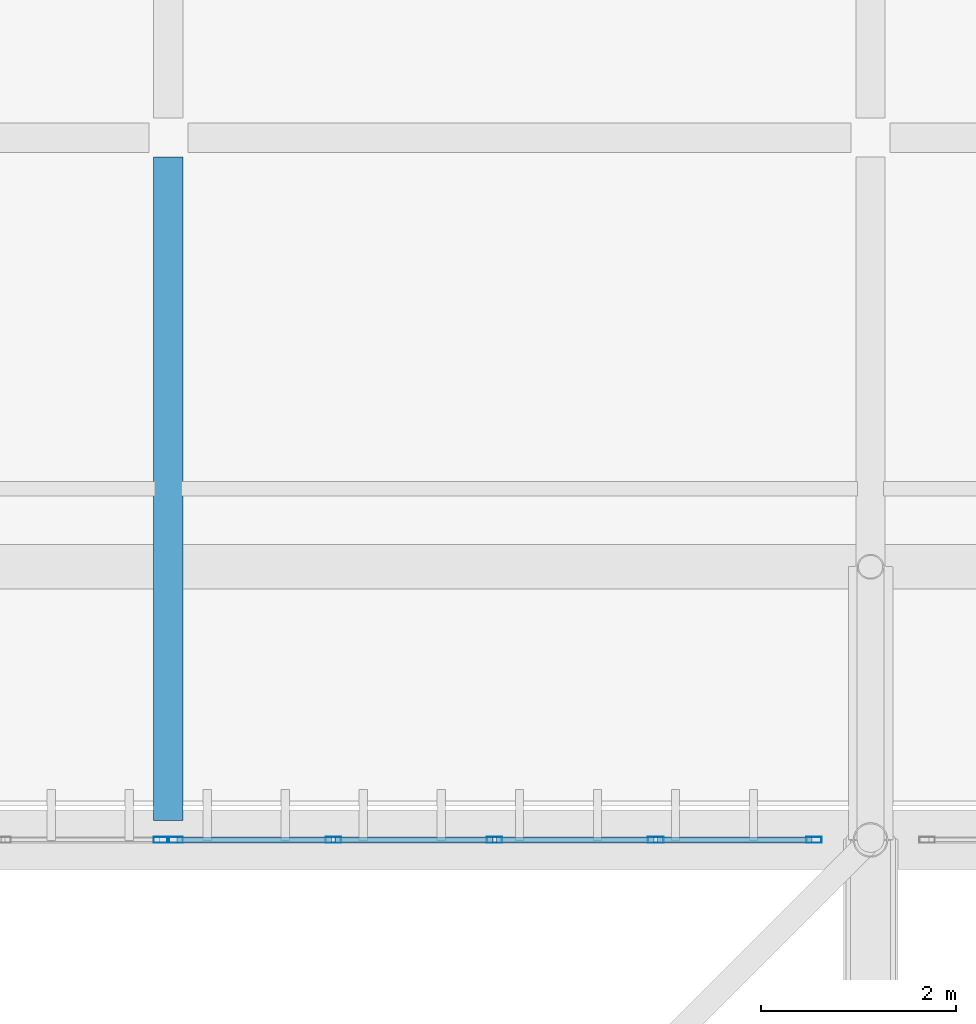
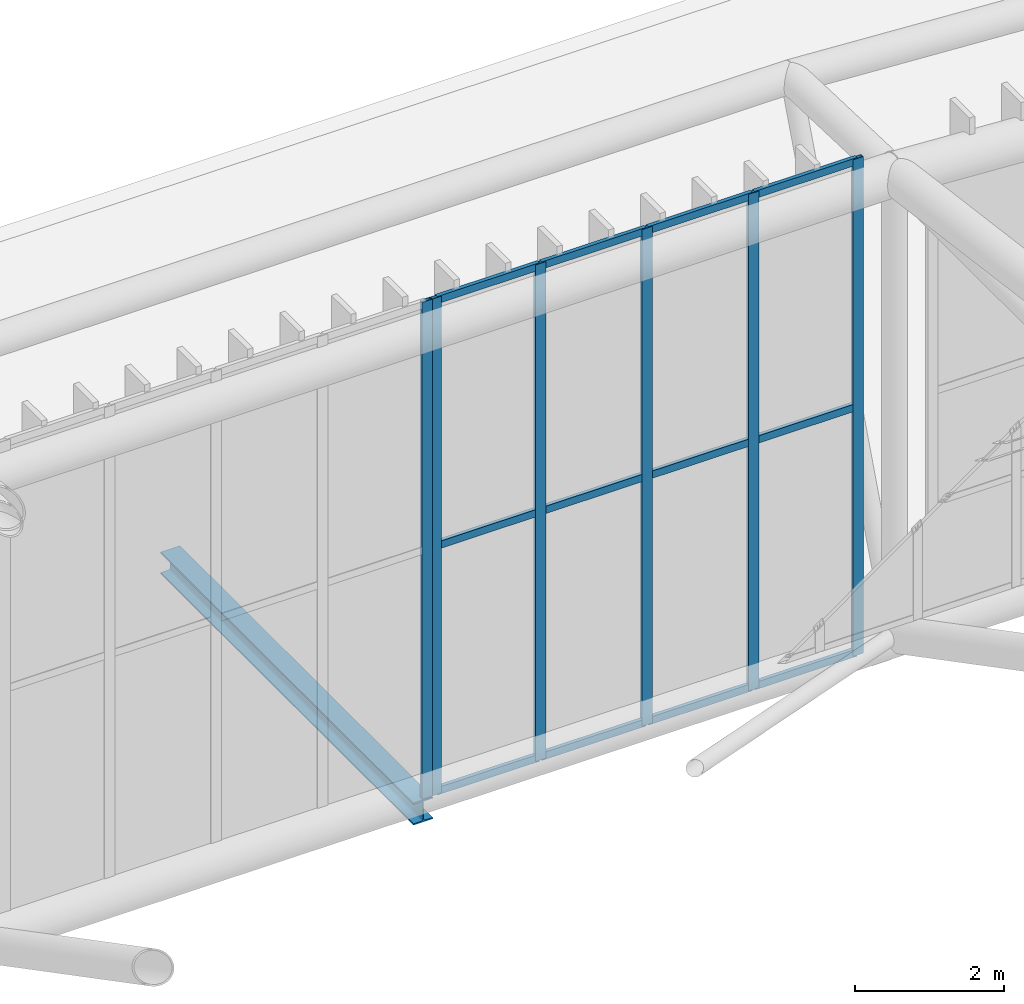
# One storey, part 323 of 397: 18 members, 1 beam, 2 elements without a shape of their own.
"""IFC4 building model written with IfcOpenShell, lengths in metres."""

from ifc_helpers import new_model, si_unit, direction, frame, origin, origin_2d, place, context, subcontext, project, spatial, hollow_rectangle, i_section, extrude, material, material_profile, profile_set, type_object, element, aggregate, save


model = new_model("IFC4")

# Units and contexts
model_context = context("Model", 3, precision=1e-05, world=origin(), true_north=direction((0.0, 1.0)))
body_context = subcontext(model_context, "Body", "Model", "MODEL_VIEW")
ifc_project = project(units=[si_unit("LENGTHUNIT", "METRE"), si_unit("AREAUNIT", "SQUARE_METRE"), si_unit("VOLUMEUNIT", "CUBIC_METRE"), si_unit("PLANEANGLEUNIT", "RADIAN"), si_unit("MASSUNIT", "GRAM", prefix="KILO")], contexts=[model_context])

# Site, building, storey
site_placement = place(None, origin())
site = spatial("IfcSite", under=ifc_project, at=site_placement, CompositionType="ELEMENT")
building_placement = place(site_placement, origin())
building = spatial("IfcBuilding", under=site, at=building_placement, Name="Qandorah Velis Arena", CompositionType="ELEMENT")
storey_placement = place(building_placement, frame((0.0, 0.0, 27.5)))
storey = spatial("IfcBuildingStorey", under=building, at=storey_placement, Name="RF", CompositionType="ELEMENT", Elevation=27.5)

# Curtain wall, member
ifc_material_1 = material(Name="Solar-control low-E double glazing", Category="glass")
curtain_wall_type_1 = type_object("IfcCurtainWallType", Name="ARC-CW-SYS04", PredefinedType="USERDEFINED", material=ifc_material_1)
curtain_wall_1_placement = place(storey_placement, origin())
curtain_wall_1 = element("IfcCurtainWall", 1, at=curtain_wall_1_placement, inside=storey, type_object=curtain_wall_type_1, Name="Unitised curtain wall CROWN-4-04S1", ObjectType="UNITISED CURTAIN WALL", PredefinedType="USERDEFINED")
ifc_material_2 = material(Name="Champagne-bronze anodized aluminium 6063-T6", Category="aluminium")
ifc_material_profile_1 = material_profile(ifc_material_2, hollow_rectangle(XDim=0.06005859375, YDim=0.159912109375, WallThickness=0.00341796875, at=origin_2d()), Name="ALU MULLION 60x160")
ifc_profile_set_1 = profile_set([ifc_material_profile_1], Name="Champagne-bronze anodized aluminium 6063-T6")
member_type_1 = type_object("IfcMemberType", Name="ARC-CWM-160", PredefinedType="MULLION", material=ifc_profile_set_1)
member_1_placement = place(storey_placement, frame((64.72998046875, 115.199951171875, -0.014892578125), z_axis=(0.0, 0.0, 1.0), x_axis=(0.0, 1.0, 0.0)))
member_1 = element("IfcMember", 2, at=member_1_placement, type_object=member_type_1, Name="CW04 mullion 5", PredefinedType="MULLION", context=body_context, shape_type="SweptSolid", body=[
    extrude(hollow_rectangle(XDim=0.06005859375, YDim=0.159912109375, WallThickness=0.00341796875, at=origin_2d()), origin(), (0.0, 0.0, 1.0), 8.150634765625),
])
aggregate(curtain_wall_1, [member_1])

# Curtain wall, members
curtain_wall_type_2 = type_object("IfcCurtainWallType", Name="ARC-CW-SYS05", PredefinedType="USERDEFINED", material=ifc_material_1)
curtain_wall_2_placement = place(storey_placement, origin())
curtain_wall_2 = element("IfcCurtainWall", 3, at=curtain_wall_2_placement, inside=storey, type_object=curtain_wall_type_2, Name="Unitised curtain wall CROWN-4-04S2", ObjectType="UNITISED CURTAIN WALL", PredefinedType="USERDEFINED")
member_2_placement = place(storey_placement, frame((64.8701171875, 115.199951171875, -0.014892578125), z_axis=(0.0, 0.0, 1.0), x_axis=(0.0, 1.0, 0.0)))
member_2 = element("IfcMember", 4, at=member_2_placement, type_object=member_type_1, Name="CW05 mullion 1", PredefinedType="MULLION", context=body_context, shape_type="SweptSolid", body=[
    extrude(hollow_rectangle(XDim=0.06005859375, YDim=0.159912109375, WallThickness=0.00341796875, at=origin_2d()), origin(), (0.0, 0.0, 1.0), 8.150634765625),
])
member_3_placement = place(storey_placement, frame((66.492431640625, 115.199951171875, -0.014892578125), z_axis=(0.0, 0.0, 1.0), x_axis=(0.0, 1.0, 0.0)))
member_3 = element("IfcMember", 5, at=member_3_placement, type_object=member_type_1, Name="CW05 mullion 2", PredefinedType="MULLION", context=body_context, shape_type="SweptSolid", body=[
    extrude(hollow_rectangle(XDim=0.06005859375, YDim=0.159912109375, WallThickness=0.00341796875, at=origin_2d()), origin(), (0.0, 0.0, 1.0), 8.150634765625),
])
member_4_placement = place(storey_placement, frame((68.14501953125, 115.199951171875, -0.014892578125), z_axis=(0.0, 0.0, 1.0), x_axis=(0.0, 1.0, 0.0)))
member_4 = element("IfcMember", 6, at=member_4_placement, type_object=member_type_1, Name="CW05 mullion 3", PredefinedType="MULLION", context=body_context, shape_type="SweptSolid", body=[
    extrude(hollow_rectangle(XDim=0.06005859375, YDim=0.159912109375, WallThickness=0.00341796875, at=origin_2d()), origin(), (0.0, 0.0, 1.0), 8.150634765625),
])
member_5_placement = place(storey_placement, frame((69.797607421875, 115.199951171875, -0.014892578125), z_axis=(0.0, 0.0, 1.0), x_axis=(0.0, 1.0, 0.0)))
member_5 = element("IfcMember", 7, at=member_5_placement, type_object=member_type_1, Name="CW05 mullion 4", PredefinedType="MULLION", context=body_context, shape_type="SweptSolid", body=[
    extrude(hollow_rectangle(XDim=0.06005859375, YDim=0.159912109375, WallThickness=0.00341796875, at=origin_2d()), origin(), (0.0, 0.0, 1.0), 8.150634765625),
])
member_6_placement = place(storey_placement, frame((71.419921875, 115.199951171875, -0.014892578125), z_axis=(0.0, 0.0, 1.0), x_axis=(0.0, 1.0, 0.0)))
member_6 = element("IfcMember", 8, at=member_6_placement, type_object=member_type_1, Name="CW05 mullion 5", PredefinedType="MULLION", context=body_context, shape_type="SweptSolid", body=[
    extrude(hollow_rectangle(XDim=0.06005859375, YDim=0.159912109375, WallThickness=0.00341796875, at=origin_2d()), origin(), (0.0, 0.0, 1.0), 8.150634765625),
])
ifc_material_profile_2 = material_profile(ifc_material_2, hollow_rectangle(XDim=0.06005859375, YDim=0.1201171875, WallThickness=0.0029296875, at=origin_2d()), Name="ALU TRANSOM 60x120")
ifc_profile_set_2 = profile_set([ifc_material_profile_2], Name="Champagne-bronze anodized aluminium 6063-T6")
member_type_2 = type_object("IfcMemberType", Name="ARC-CWT-120", PredefinedType="USERDEFINED", material=ifc_profile_set_2)
member_7_placement = place(storey_placement, frame((64.887939453125, 115.199951171875, 0.030029296875), z_axis=(1.0, 0.0, 0.0), x_axis=(0.0, 1.0, 0.0)))
member_7 = element("IfcMember", 9, at=member_7_placement, type_object=member_type_2, Name="CW05 transom 1.1", ObjectType="TRANSOM", PredefinedType="USERDEFINED", context=body_context, shape_type="SweptSolid", body=[
    extrude(hollow_rectangle(XDim=0.06005859375, YDim=0.1201171875, WallThickness=0.0029296875, at=origin_2d()), origin(), (0.0, 0.0, 1.0), 1.586669921875),
])
member_8_placement = place(storey_placement, frame((64.887939453125, 115.199951171875, 4.060302734375), z_axis=(1.0, 0.0, 0.0), x_axis=(0.0, 1.0, 0.0)))
member_8 = element("IfcMember", 10, at=member_8_placement, type_object=member_type_2, Name="CW05 transom 1.2", ObjectType="TRANSOM", PredefinedType="USERDEFINED", context=body_context, shape_type="SweptSolid", body=[
    extrude(hollow_rectangle(XDim=0.06005859375, YDim=0.1201171875, WallThickness=0.0029296875, at=origin_2d()), origin(), (0.0, 0.0, 1.0), 1.586669921875),
])
member_9_placement = place(storey_placement, frame((64.887939453125, 115.199951171875, 8.0908203125), z_axis=(1.0, 0.0, 0.0), x_axis=(0.0, 1.0, 0.0)))
member_9 = element("IfcMember", 11, at=member_9_placement, type_object=member_type_2, Name="CW05 transom 1.3", ObjectType="TRANSOM", PredefinedType="USERDEFINED", context=body_context, shape_type="SweptSolid", body=[
    extrude(hollow_rectangle(XDim=0.06005859375, YDim=0.1201171875, WallThickness=0.0029296875, at=origin_2d()), origin(), (0.0, 0.0, 1.0), 1.586669921875),
])
member_10_placement = place(storey_placement, frame((66.510498046875, 115.199951171875, 0.030029296875), z_axis=(1.0, 0.0, 0.0), x_axis=(0.0, 1.0, 0.0)))
member_10 = element("IfcMember", 12, at=member_10_placement, type_object=member_type_2, Name="CW05 transom 2.1", ObjectType="TRANSOM", PredefinedType="USERDEFINED", context=body_context, shape_type="SweptSolid", body=[
    extrude(hollow_rectangle(XDim=0.06005859375, YDim=0.1201171875, WallThickness=0.0029296875, at=origin_2d()), origin(), (0.0, 0.0, 1.0), 1.616455078125),
])
member_11_placement = place(storey_placement, frame((66.510498046875, 115.199951171875, 4.060302734375), z_axis=(1.0, 0.0, 0.0), x_axis=(0.0, 1.0, 0.0)))
member_11 = element("IfcMember", 13, at=member_11_placement, type_object=member_type_2, Name="CW05 transom 2.2", ObjectType="TRANSOM", PredefinedType="USERDEFINED", context=body_context, shape_type="SweptSolid", body=[
    extrude(hollow_rectangle(XDim=0.06005859375, YDim=0.1201171875, WallThickness=0.0029296875, at=origin_2d()), origin(), (0.0, 0.0, 1.0), 1.616455078125),
])
member_12_placement = place(storey_placement, frame((66.510498046875, 115.199951171875, 8.0908203125), z_axis=(1.0, 0.0, 0.0), x_axis=(0.0, 1.0, 0.0)))
member_12 = element("IfcMember", 14, at=member_12_placement, type_object=member_type_2, Name="CW05 transom 2.3", ObjectType="TRANSOM", PredefinedType="USERDEFINED", context=body_context, shape_type="SweptSolid", body=[
    extrude(hollow_rectangle(XDim=0.06005859375, YDim=0.1201171875, WallThickness=0.0029296875, at=origin_2d()), origin(), (0.0, 0.0, 1.0), 1.616455078125),
])
member_13_placement = place(storey_placement, frame((68.1630859375, 115.199951171875, 0.030029296875), z_axis=(1.0, 0.0, 0.0), x_axis=(0.0, 1.0, 0.0)))
member_13 = element("IfcMember", 15, at=member_13_placement, type_object=member_type_2, Name="CW05 transom 3.1", ObjectType="TRANSOM", PredefinedType="USERDEFINED", context=body_context, shape_type="SweptSolid", body=[
    extrude(hollow_rectangle(XDim=0.06005859375, YDim=0.1201171875, WallThickness=0.0029296875, at=origin_2d()), origin(), (0.0, 0.0, 1.0), 1.616455078125),
])
member_14_placement = place(storey_placement, frame((68.1630859375, 115.199951171875, 4.060302734375), z_axis=(1.0, 0.0, 0.0), x_axis=(0.0, 1.0, 0.0)))
member_14 = element("IfcMember", 16, at=member_14_placement, type_object=member_type_2, Name="CW05 transom 3.2", ObjectType="TRANSOM", PredefinedType="USERDEFINED", context=body_context, shape_type="SweptSolid", body=[
    extrude(hollow_rectangle(XDim=0.06005859375, YDim=0.1201171875, WallThickness=0.0029296875, at=origin_2d()), origin(), (0.0, 0.0, 1.0), 1.616455078125),
])
member_15_placement = place(storey_placement, frame((68.1630859375, 115.199951171875, 8.0908203125), z_axis=(1.0, 0.0, 0.0), x_axis=(0.0, 1.0, 0.0)))
member_15 = element("IfcMember", 17, at=member_15_placement, type_object=member_type_2, Name="CW05 transom 3.3", ObjectType="TRANSOM", PredefinedType="USERDEFINED", context=body_context, shape_type="SweptSolid", body=[
    extrude(hollow_rectangle(XDim=0.06005859375, YDim=0.1201171875, WallThickness=0.0029296875, at=origin_2d()), origin(), (0.0, 0.0, 1.0), 1.616455078125),
])
member_16_placement = place(storey_placement, frame((69.8154296875, 115.199951171875, 0.030029296875), z_axis=(1.0, 0.0, 0.0), x_axis=(0.0, 1.0, 0.0)))
member_16 = element("IfcMember", 18, at=member_16_placement, type_object=member_type_2, Name="CW05 transom 4.1", ObjectType="TRANSOM", PredefinedType="USERDEFINED", context=body_context, shape_type="SweptSolid", body=[
    extrude(hollow_rectangle(XDim=0.06005859375, YDim=0.1201171875, WallThickness=0.0029296875, at=origin_2d()), origin(), (0.0, 0.0, 1.0), 1.586669921875),
])
member_17_placement = place(storey_placement, frame((69.8154296875, 115.199951171875, 4.060302734375), z_axis=(1.0, 0.0, 0.0), x_axis=(0.0, 1.0, 0.0)))
member_17 = element("IfcMember", 19, at=member_17_placement, type_object=member_type_2, Name="CW05 transom 4.2", ObjectType="TRANSOM", PredefinedType="USERDEFINED", context=body_context, shape_type="SweptSolid", body=[
    extrude(hollow_rectangle(XDim=0.06005859375, YDim=0.1201171875, WallThickness=0.0029296875, at=origin_2d()), origin(), (0.0, 0.0, 1.0), 1.586669921875),
])
member_18_placement = place(storey_placement, frame((69.8154296875, 115.199951171875, 8.0908203125), z_axis=(1.0, 0.0, 0.0), x_axis=(0.0, 1.0, 0.0)))
member_18 = element("IfcMember", 20, at=member_18_placement, type_object=member_type_2, Name="CW05 transom 4.3", ObjectType="TRANSOM", PredefinedType="USERDEFINED", context=body_context, shape_type="SweptSolid", body=[
    extrude(hollow_rectangle(XDim=0.06005859375, YDim=0.1201171875, WallThickness=0.0029296875, at=origin_2d()), origin(), (0.0, 0.0, 1.0), 1.586669921875),
])
aggregate(curtain_wall_2, [member_2, member_3, member_4, member_5, member_6, member_7, member_8, member_9, member_10, member_11, member_12, member_13, member_14, member_15, member_16, member_17, member_18])

# Beam
ifc_material_3 = material(Name="Steel S355", Category="steel")
ifc_material_profile_3 = material_profile(ifc_material_3, i_section(OverallWidth=0.300048828125, OverallDepth=0.360107421875, WebThickness=0.012451171875, FlangeThickness=0.0224609375, FilletRadius=0.027099609375, at=origin_2d()), Name="HEB 360")
ifc_profile_set_3 = profile_set([ifc_material_profile_3], Name="Steel S355")
beam_type = type_object("IfcBeamType", Name="STR-BM-HEB360", PredefinedType="BEAM", material=ifc_profile_set_3)
beam_placement = place(storey_placement, frame((64.800048828125, 115.39990234375, -0.39990234375), z_axis=(0.0, 1.0, 0.0), x_axis=(-1.0, 0.0, 0.0)))
element("IfcBeam", 21, at=beam_placement, inside=storey, type_object=beam_type, Name="Primary floor girder RF Y-109", PredefinedType="BEAM", context=body_context, shape_type="SweptSolid", body=[
    extrude(i_section(OverallWidth=0.300048828125, OverallDepth=0.360107421875, WebThickness=0.012451171875, FlangeThickness=0.0224609375, FilletRadius=0.027099609375, at=origin_2d()), origin(), (0.0, 0.0, 1.0), 6.800048828125),
])

save(model, "model.ifc")
